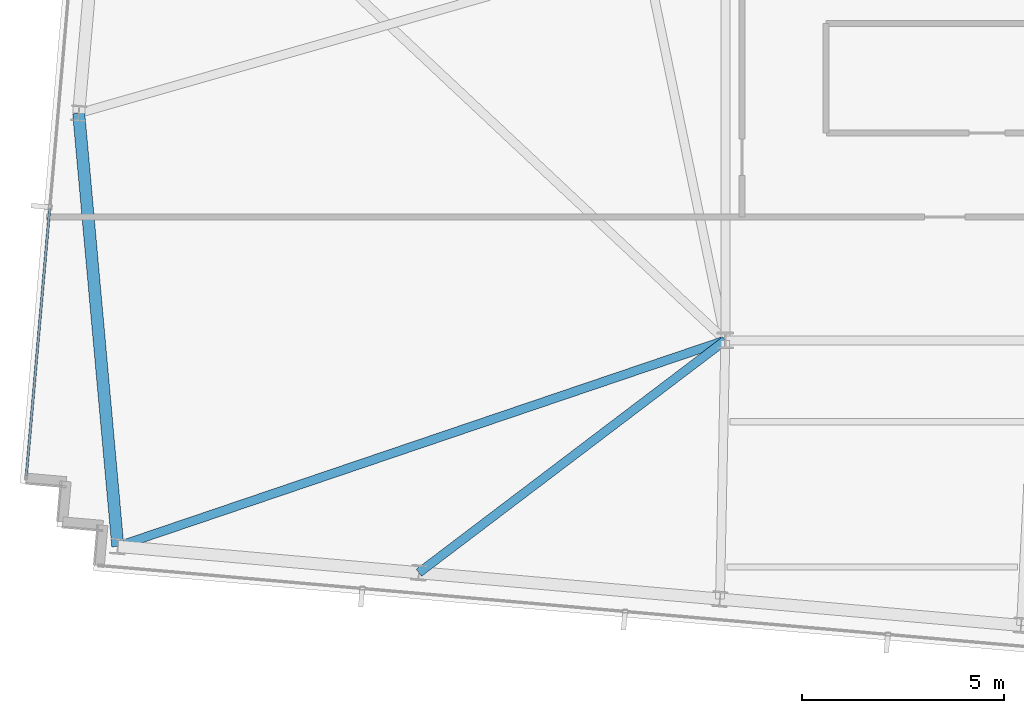
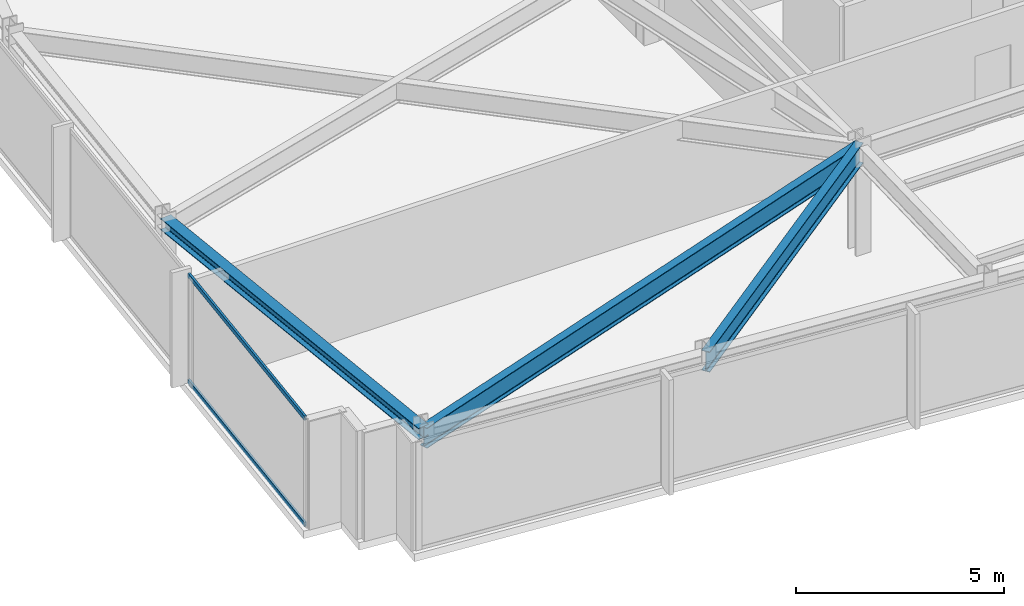
# One storey, part 4 of 32: 3 beams, 2 members, 1 element without a shape of its own.
"""IFC4 building model written with IfcOpenShell, lengths in metres."""

from ifc_helpers import new_model, si_unit, direction, frame, origin, origin_2d, place, context, subcontext, project, spatial, hollow_rectangle, i_section, extrude, material, material_profile, profile_set, type_object, element, aggregate, save


model = new_model("IFC4")

# Units and contexts
model_context = context("Model", 3, precision=1e-05, world=origin(), true_north=direction((0.0, 1.0)))
body_context = subcontext(model_context, "Body", "Model", "MODEL_VIEW")
ifc_project = project(units=[si_unit("LENGTHUNIT", "METRE"), si_unit("AREAUNIT", "SQUARE_METRE"), si_unit("VOLUMEUNIT", "CUBIC_METRE"), si_unit("PLANEANGLEUNIT", "RADIAN"), si_unit("MASSUNIT", "GRAM", prefix="KILO")], contexts=[model_context])

# Site, building, storey
site_placement = place(None, origin())
site = spatial("IfcSite", under=ifc_project, at=site_placement, CompositionType="ELEMENT")
building_placement = place(site_placement, origin())
building = spatial("IfcBuilding", under=site, at=building_placement, Name="Yelkora Congress Tower", CompositionType="ELEMENT")
storey_placement = place(building_placement, frame((0.0, 0.0, 269.300048828125)))
storey = spatial("IfcBuildingStorey", under=building, at=storey_placement, Name="L75", CompositionType="ELEMENT", Elevation=269.300048828125)

# Beams
ifc_material_1 = material(Name="Steel S355J2", Category="steel")
ifc_material_profile_1 = material_profile(ifc_material_1, i_section(OverallWidth=0.219970703125, OverallDepth=0.60009765625, WebThickness=0.011962890625, FlangeThickness=0.01904296875, FilletRadius=0.02392578125, at=origin_2d()), Name="IPE 600")
ifc_profile_set_1 = profile_set([ifc_material_profile_1], Name="Steel S355J2")
beam_type_1 = type_object("IfcBeamType", Name="BM-GIRD-IPE600", PredefinedType="BEAM", material=ifc_profile_set_1)
beam_1_placement = place(storey_placement, frame((7.998046875, 20.097900390625, 2.8798828125), z_axis=(0.947007090502, 0.321212656257, 0.0), x_axis=(-0.321212656257, 0.947007090502, 0.0)))
element("IfcBeam", 1, at=beam_1_placement, inside=storey, type_object=beam_type_1, Name="L75 Primary Frame Girder S01", PredefinedType="BEAM", context=body_context, shape_type="SweptSolid", body=[
    extrude(i_section(OverallWidth=0.219970703125, OverallDepth=0.60009765625, WebThickness=0.011962890625, FlangeThickness=0.01904296875, FilletRadius=0.02392578125, at=origin_2d()), origin(), (0.0, 0.0, 1.0), 15.8837890625),
])
beam_2_placement = place(storey_placement, frame((15.452880859375, 19.445556640625, 2.8798828125), z_axis=(0.79676107913, 0.6042944504, 0.0), x_axis=(-0.6042944504, 0.79676107913, 0.0)))
element("IfcBeam", 2, at=beam_2_placement, inside=storey, type_object=beam_type_1, Name="L75 Primary Frame Girder S02", PredefinedType="BEAM", context=body_context, shape_type="SweptSolid", body=[
    extrude(i_section(OverallWidth=0.219970703125, OverallDepth=0.60009765625, WebThickness=0.011962890625, FlangeThickness=0.01904296875, FilletRadius=0.02392578125, at=origin_2d()), origin(), (0.0, 0.0, 1.0), 9.5224609375),
])
ifc_material_profile_2 = material_profile(ifc_material_1, i_section(OverallWidth=0.300048828125, OverallDepth=0.340087890625, WebThickness=0.011962890625, FlangeThickness=0.021484375, FilletRadius=0.027099609375, at=origin_2d()), Name="HEB 340")
ifc_profile_set_2 = profile_set([ifc_material_profile_2], Name="Steel S355J2")
beam_type_2 = type_object("IfcBeamType", Name="BM-SPAN-HEB340", PredefinedType="SPANDREL", material=ifc_profile_set_2)
beam_3_placement = place(storey_placement, frame((7.029052734375, 30.822998046875, 3.010009765625), z_axis=(0.08998177561, -0.995943412076, 0.0), x_axis=(0.995943412076, 0.08998177561, 0.0)))
element("IfcBeam", 3, at=beam_3_placement, inside=storey, type_object=beam_type_2, Name="L75 Perimeter Beam 15", PredefinedType="SPANDREL", context=body_context, shape_type="SweptSolid", body=[
    extrude(i_section(OverallWidth=0.300048828125, OverallDepth=0.340087890625, WebThickness=0.011962890625, FlangeThickness=0.021484375, FilletRadius=0.027099609375, at=origin_2d()), origin(), (0.0, 0.0, 1.0), 10.768798828125),
])

# Curtain wall, members
ifc_material_2 = material(Name="Anodised aluminium and insulated glass", Category="aluminium")
curtain_wall_type = type_object("IfcCurtainWallType", Name="CW-SYS-B5", PredefinedType="NOTDEFINED", material=ifc_material_2)
curtain_wall_placement = place(storey_placement, origin())
curtain_wall = element("IfcCurtainWall", 4, at=curtain_wall_placement, inside=storey, type_object=curtain_wall_type, Name="L75 Unitised Curtain Wall 5", PredefinedType="NOTDEFINED")
ifc_material_3 = material(Name="Anodised aluminium 6063-T6", Category="aluminium")
ifc_material_profile_3 = material_profile(ifc_material_3, hollow_rectangle(XDim=0.06005859375, YDim=0.1298828125, WallThickness=0.00390625, at=origin_2d()), Name="ALU 60x130x4")
ifc_profile_set_3 = profile_set([ifc_material_profile_3], Name="Anodised aluminium 6063-T6")
member_type = type_object("IfcMemberType", Name="MEM-TR-B5", PredefinedType="USERDEFINED", material=ifc_profile_set_3)
member_1_placement = place(storey_placement, frame((5.732666015625, 21.85693359375, 0.030029296875), z_axis=(0.08716649365, 0.996193757451, 0.0), x_axis=(-0.996193757451, 0.08716649365, 0.0)))
member_1 = element("IfcMember", 5, at=member_1_placement, type_object=member_type, Name="CW-B5 transom 1.1", ObjectType="TRANSOM", PredefinedType="USERDEFINED", context=body_context, shape_type="SweptSolid", body=[
    extrude(hollow_rectangle(XDim=0.06005859375, YDim=0.1298828125, WallThickness=0.00390625, at=origin_2d()), origin(), (0.0, 0.0, 1.0), 6.63232421875),
])
member_2_placement = place(storey_placement, frame((5.732666015625, 21.85693359375, 3.14990234375), z_axis=(0.08716649365, 0.996193757451, 0.0), x_axis=(-0.996193757451, 0.08716649365, 0.0)))
member_2 = element("IfcMember", 6, at=member_2_placement, type_object=member_type, Name="CW-B5 transom 1.2", ObjectType="TRANSOM", PredefinedType="USERDEFINED", context=body_context, shape_type="SweptSolid", body=[
    extrude(hollow_rectangle(XDim=0.06005859375, YDim=0.1298828125, WallThickness=0.00390625, at=origin_2d()), origin(), (0.0, 0.0, 1.0), 6.63232421875),
])
aggregate(curtain_wall, [member_1, member_2])

save(model, "model.ifc")
